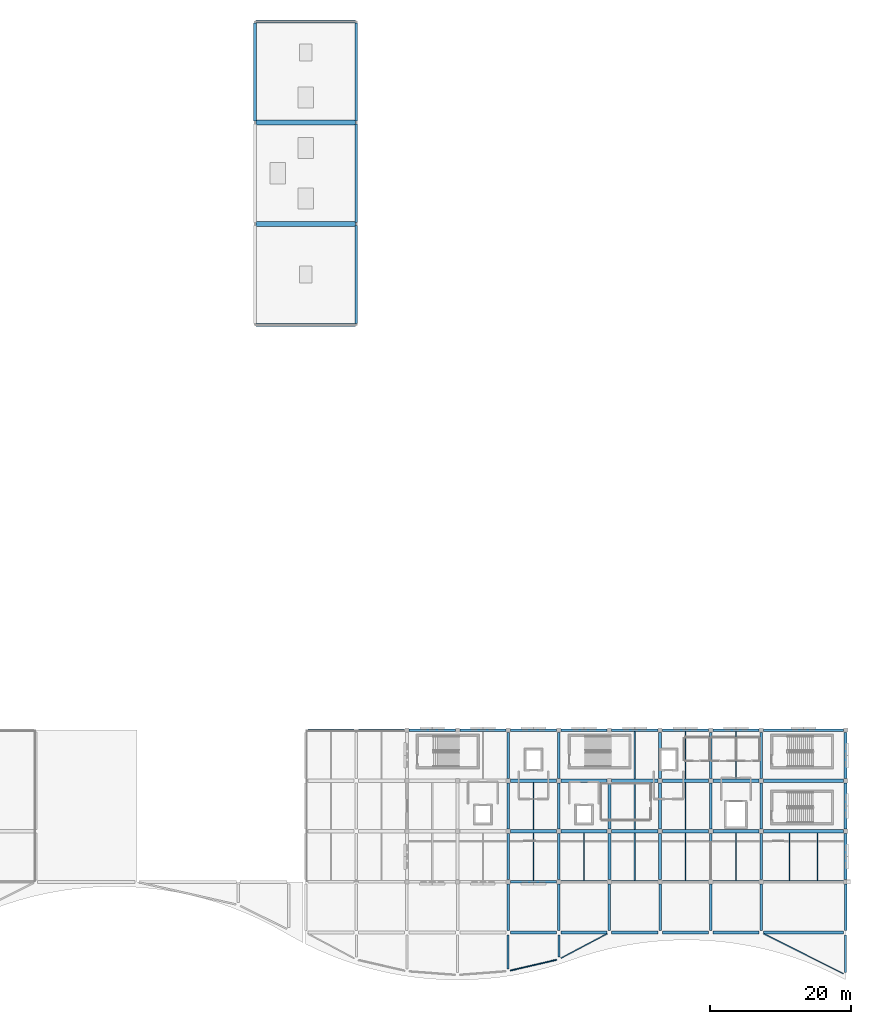
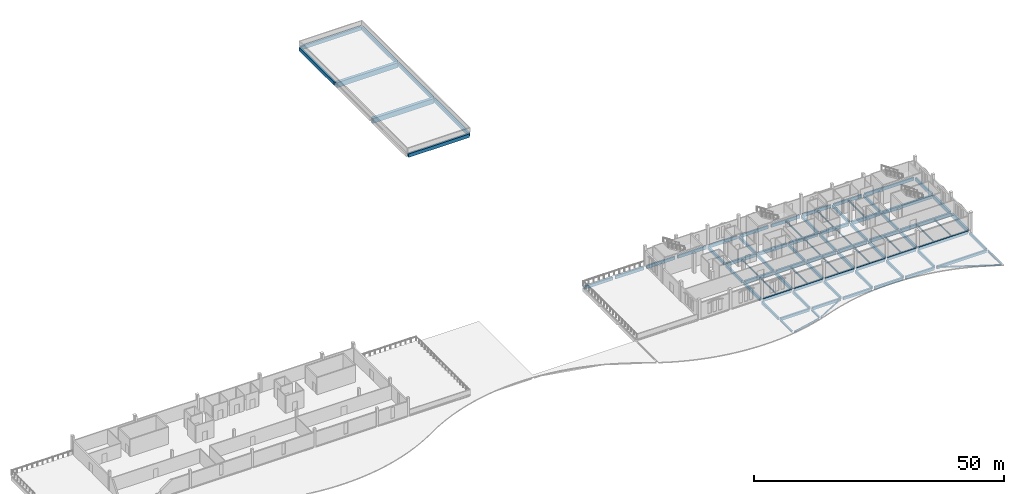
# One storey, part 4 of 23: 88 beams.
"""IFC4 building model written with IfcOpenShell, lengths in metres."""

from ifc_helpers import new_model, si_unit, direction, frame, origin, origin_2d, place, context, subcontext, project, spatial, rectangle, hollow_rectangle, i_section, extrude, material, material_profile, profile_set, type_object, element, save


model = new_model("IFC4")

# Units and contexts
model_context = context("Model", 3, precision=1e-05, world=origin(), true_north=direction((0.0, 1.0)))
body_context = subcontext(model_context, "Body", "Model", "MODEL_VIEW")
ifc_project = project(units=[si_unit("LENGTHUNIT", "METRE"), si_unit("AREAUNIT", "SQUARE_METRE"), si_unit("VOLUMEUNIT", "CUBIC_METRE"), si_unit("PLANEANGLEUNIT", "RADIAN"), si_unit("MASSUNIT", "GRAM", prefix="KILO")], contexts=[model_context])

# Site, building, storey
site_placement = place(None, origin())
site = spatial("IfcSite", under=ifc_project, at=site_placement, CompositionType="ELEMENT")
building_placement = place(site_placement, origin())
building = spatial("IfcBuilding", under=site, at=building_placement, Name="Cendralis Lancet Convention Centre", CompositionType="ELEMENT")
storey_placement = place(building_placement, frame((0.0, 0.0, 19.800048828125)))
storey = spatial("IfcBuildingStorey", under=building, at=storey_placement, Name="L04", CompositionType="ELEMENT", Elevation=19.800048828125)

# Beams
ifc_material_1 = material(Name="Concrete G40 (C40/50)", Category="concrete")
ifc_material_profile_1 = material_profile(ifc_material_1, rectangle(XDim=0.699951171875, YDim=1.199951171875, at=origin_2d()), Name="RCB 700x1200")
ifc_profile_set_1 = profile_set([ifc_material_profile_1], Name="Concrete G40 (C40/50)")
beam_type_1 = type_object("IfcBeamType", Name="STR-BM-BG01", PredefinedType="BEAM", material=ifc_profile_set_1)
for number, where, z_axis, x_axis, name in (
    (1, (124.949951171875, 108.0, -0.85009765625), (1.0, 0.0, 0.0), (0.0, 1.0, 0.0), "L04 Beam BG01 #1775"),
    (2, (124.949951171875, 122.39990234375, -0.85009765625), (1.0, 0.0, 0.0), (0.0, 1.0, 0.0), "L04 Beam BG01 #1776"),
):
    element("IfcBeam", number, at=place(storey_placement, frame(where, z_axis=z_axis, x_axis=x_axis)), inside=storey, type_object=beam_type_1, Name=name, PredefinedType="BEAM", context=body_context, shape_type="SweptSolid", body=[
        extrude(rectangle(XDim=0.699951171875, YDim=1.199951171875, at=origin_2d()), origin(), (0.0, 0.0, 1.0), 14.10009765625),
    ])
ifc_material_2 = material(Name="Concrete G35 (C35/45)", Category="concrete")
ifc_material_profile_2 = material_profile(ifc_material_2, rectangle(XDim=0.449951171875, YDim=0.75, at=origin_2d()), Name="RCB 450x750")
ifc_profile_set_2 = profile_set([ifc_material_profile_2], Name="Concrete G35 (C35/45)")
beam_type_2 = type_object("IfcBeamType", Name="STR-BM-BG11", PredefinedType="BEAM", material=ifc_profile_set_2)
for number, where, z_axis, x_axis, name in (
    (3, (161.125, 21.60009765625, -0.625), (1.0, 0.0, 0.0), (0.0, 1.0, 0.0), "L04 Beam BG11 #0519"),
    (4, (168.324951171875, 21.60009765625, -0.625), (1.0, 0.0, 0.0), (0.0, 1.0, 0.0), "L04 Beam BG11 #0520"),
    (5, (175.52490234375, 21.60009765625, -0.625), (1.0, 0.0, 0.0), (0.0, 1.0, 0.0), "L04 Beam BG11 #0521"),
):
    element("IfcBeam", number, at=place(storey_placement, frame(where, z_axis=z_axis, x_axis=x_axis)), inside=storey, type_object=beam_type_2, Name=name, PredefinedType="BEAM", context=body_context, shape_type="SweptSolid", body=[
        extrude(rectangle(XDim=0.449951171875, YDim=0.75, at=origin_2d()), origin(), (0.0, 0.0, 1.0), 6.550048828125),
    ])
beam_1_placement = place(storey_placement, frame((182.72509765625, 21.60009765625, -0.625), z_axis=(1.0, 0.0, 0.0), x_axis=(0.0, 1.0, 0.0)))
element("IfcBeam", 6, at=beam_1_placement, inside=storey, type_object=beam_type_2, Name="L04 Beam BG11 #0522", PredefinedType="BEAM", context=body_context, shape_type="SweptSolid", body=[
    extrude(rectangle(XDim=0.449951171875, YDim=0.75, at=origin_2d()), origin(), (0.0, 0.0, 1.0), 6.5498046875),
])
beam_2_placement = place(storey_placement, frame((189.925048828125, 21.60009765625, -0.625), z_axis=(1.0, 0.0, 0.0), x_axis=(0.0, 1.0, 0.0)))
element("IfcBeam", 7, at=beam_2_placement, inside=storey, type_object=beam_type_2, Name="L04 Beam BG11 #0523", PredefinedType="BEAM", context=body_context, shape_type="SweptSolid", body=[
    extrude(rectangle(XDim=0.449951171875, YDim=0.75, at=origin_2d()), origin(), (0.0, 0.0, 1.0), 6.550048828125),
])
beam_3_placement = place(storey_placement, frame((197.125, 21.60009765625, -0.625), z_axis=(1.0, 0.0, 0.0), x_axis=(0.0, 1.0, 0.0)))
element("IfcBeam", 8, at=beam_3_placement, inside=storey, type_object=beam_type_2, Name="L04 Beam BG11 #0524", PredefinedType="BEAM", context=body_context, shape_type="SweptSolid", body=[
    extrude(rectangle(XDim=0.449951171875, YDim=0.75, at=origin_2d()), origin(), (0.0, 0.0, 1.0), 11.35009765625),
])
for number, where, z_axis, x_axis, name in (
    (9, (161.125, 28.800048828125, -0.625), (1.0, 0.0, 0.0), (0.0, 1.0, 0.0), "L04 Beam BG11 #0529"),
    (10, (168.324951171875, 28.800048828125, -0.625), (1.0, 0.0, 0.0), (0.0, 1.0, 0.0), "L04 Beam BG11 #0530"),
    (11, (175.52490234375, 28.800048828125, -0.625), (1.0, 0.0, 0.0), (0.0, 1.0, 0.0), "L04 Beam BG11 #0531"),
):
    element("IfcBeam", number, at=place(storey_placement, frame(where, z_axis=z_axis, x_axis=x_axis)), inside=storey, type_object=beam_type_2, Name=name, PredefinedType="BEAM", context=body_context, shape_type="SweptSolid", body=[
        extrude(rectangle(XDim=0.449951171875, YDim=0.75, at=origin_2d()), origin(), (0.0, 0.0, 1.0), 6.550048828125),
    ])
beam_4_placement = place(storey_placement, frame((182.72509765625, 28.800048828125, -0.625), z_axis=(1.0, 0.0, 0.0), x_axis=(0.0, 1.0, 0.0)))
element("IfcBeam", 12, at=beam_4_placement, inside=storey, type_object=beam_type_2, Name="L04 Beam BG11 #0532", PredefinedType="BEAM", context=body_context, shape_type="SweptSolid", body=[
    extrude(rectangle(XDim=0.449951171875, YDim=0.75, at=origin_2d()), origin(), (0.0, 0.0, 1.0), 6.5498046875),
])
beam_5_placement = place(storey_placement, frame((189.925048828125, 28.800048828125, -0.625), z_axis=(1.0, 0.0, 0.0), x_axis=(0.0, 1.0, 0.0)))
element("IfcBeam", 13, at=beam_5_placement, inside=storey, type_object=beam_type_2, Name="L04 Beam BG11 #0533", PredefinedType="BEAM", context=body_context, shape_type="SweptSolid", body=[
    extrude(rectangle(XDim=0.449951171875, YDim=0.75, at=origin_2d()), origin(), (0.0, 0.0, 1.0), 6.550048828125),
])
beam_6_placement = place(storey_placement, frame((197.125, 28.800048828125, -0.625), z_axis=(1.0, 0.0, 0.0), x_axis=(0.0, 1.0, 0.0)))
element("IfcBeam", 14, at=beam_6_placement, inside=storey, type_object=beam_type_2, Name="L04 Beam BG11 #0534", PredefinedType="BEAM", context=body_context, shape_type="SweptSolid", body=[
    extrude(rectangle(XDim=0.449951171875, YDim=0.75, at=origin_2d()), origin(), (0.0, 0.0, 1.0), 11.35009765625),
])
ifc_material_profile_3 = material_profile(ifc_material_2, rectangle(XDim=0.39990234375, YDim=0.699951171875, at=origin_2d()), Name="RCB 400x700")
ifc_profile_set_3 = profile_set([ifc_material_profile_3], Name="Concrete G35 (C35/45)")
beam_type_3 = type_object("IfcBeamType", Name="STR-BM-BG13", PredefinedType="BEAM", material=ifc_profile_set_3)
beam_7_placement = place(storey_placement, frame((160.800048828125, 14.72509765625, -0.60009765625), z_axis=(0.0, 1.0, 0.0), x_axis=(-1.0, 0.0, 0.0)))
element("IfcBeam", 15, at=beam_7_placement, inside=storey, type_object=beam_type_3, Name="L04 Beam BG13 #0556", PredefinedType="BEAM", context=body_context, shape_type="SweptSolid", body=[
    extrude(rectangle(XDim=0.39990234375, YDim=0.699951171875, at=origin_2d()), origin(), (0.0, 0.0, 1.0), 6.5498046875),
])
for number, where, z_axis, x_axis, name in (
    (16, (160.800048828125, 21.925048828125, -0.60009765625), (0.0, 1.0, 0.0), (-1.0, 0.0, 0.0), "L04 Beam BG13 #0557"),
    (17, (160.800048828125, 29.125, -0.60009765625), (0.0, 1.0, 0.0), (-1.0, 0.0, 0.0), "L04 Beam BG13 #0558"),
):
    element("IfcBeam", number, at=place(storey_placement, frame(where, z_axis=z_axis, x_axis=x_axis)), inside=storey, type_object=beam_type_3, Name=name, PredefinedType="BEAM", context=body_context, shape_type="SweptSolid", body=[
        extrude(rectangle(XDim=0.39990234375, YDim=0.699951171875, at=origin_2d()), origin(), (0.0, 0.0, 1.0), 6.550048828125),
    ])
beam_8_placement = place(storey_placement, frame((168.0, 14.72509765625, -0.60009765625), z_axis=(0.0, 1.0, 0.0), x_axis=(-1.0, 0.0, 0.0)))
element("IfcBeam", 18, at=beam_8_placement, inside=storey, type_object=beam_type_3, Name="L04 Beam BG13 #0559", PredefinedType="BEAM", context=body_context, shape_type="SweptSolid", body=[
    extrude(rectangle(XDim=0.39990234375, YDim=0.699951171875, at=origin_2d()), origin(), (0.0, 0.0, 1.0), 6.5498046875),
])
for number, where, z_axis, x_axis, name in (
    (19, (168.0, 21.925048828125, -0.60009765625), (0.0, 1.0, 0.0), (-1.0, 0.0, 0.0), "L04 Beam BG13 #0560"),
    (20, (168.0, 29.125, -0.60009765625), (0.0, 1.0, 0.0), (-1.0, 0.0, 0.0), "L04 Beam BG13 #0561"),
):
    element("IfcBeam", number, at=place(storey_placement, frame(where, z_axis=z_axis, x_axis=x_axis)), inside=storey, type_object=beam_type_3, Name=name, PredefinedType="BEAM", context=body_context, shape_type="SweptSolid", body=[
        extrude(rectangle(XDim=0.39990234375, YDim=0.699951171875, at=origin_2d()), origin(), (0.0, 0.0, 1.0), 6.550048828125),
    ])
beam_9_placement = place(storey_placement, frame((175.199951171875, 14.72509765625, -0.60009765625), z_axis=(0.0, 1.0, 0.0), x_axis=(-1.0, 0.0, 0.0)))
element("IfcBeam", 21, at=beam_9_placement, inside=storey, type_object=beam_type_3, Name="L04 Beam BG13 #0562", PredefinedType="BEAM", context=body_context, shape_type="SweptSolid", body=[
    extrude(rectangle(XDim=0.39990234375, YDim=0.699951171875, at=origin_2d()), origin(), (0.0, 0.0, 1.0), 6.5498046875),
])
beam_10_placement = place(storey_placement, frame((175.199951171875, 21.925048828125, -0.60009765625), z_axis=(0.0, 1.0, 0.0), x_axis=(-1.0, 0.0, 0.0)))
element("IfcBeam", 22, at=beam_10_placement, inside=storey, type_object=beam_type_3, Name="L04 Beam BG13 #0563", PredefinedType="BEAM", context=body_context, shape_type="SweptSolid", body=[
    extrude(rectangle(XDim=0.39990234375, YDim=0.699951171875, at=origin_2d()), origin(), (0.0, 0.0, 1.0), 6.550048828125),
])
beam_11_placement = place(storey_placement, frame((182.39990234375, 14.72509765625, -0.60009765625), z_axis=(0.0, 1.0, 0.0), x_axis=(-1.0, 0.0, 0.0)))
element("IfcBeam", 23, at=beam_11_placement, inside=storey, type_object=beam_type_3, Name="L04 Beam BG13 #0564", PredefinedType="BEAM", context=body_context, shape_type="SweptSolid", body=[
    extrude(rectangle(XDim=0.39990234375, YDim=0.699951171875, at=origin_2d()), origin(), (0.0, 0.0, 1.0), 6.5498046875),
])
for number, where, z_axis, x_axis, name in (
    (24, (182.39990234375, 21.925048828125, -0.60009765625), (0.0, 1.0, 0.0), (-1.0, 0.0, 0.0), "L04 Beam BG13 #0565"),
    (25, (182.39990234375, 29.125, -0.60009765625), (0.0, 1.0, 0.0), (-1.0, 0.0, 0.0), "L04 Beam BG13 #0566"),
):
    element("IfcBeam", number, at=place(storey_placement, frame(where, z_axis=z_axis, x_axis=x_axis)), inside=storey, type_object=beam_type_3, Name=name, PredefinedType="BEAM", context=body_context, shape_type="SweptSolid", body=[
        extrude(rectangle(XDim=0.39990234375, YDim=0.699951171875, at=origin_2d()), origin(), (0.0, 0.0, 1.0), 6.550048828125),
    ])
beam_12_placement = place(storey_placement, frame((189.60009765625, 14.72509765625, -0.60009765625), z_axis=(0.0, 1.0, 0.0), x_axis=(-1.0, 0.0, 0.0)))
element("IfcBeam", 26, at=beam_12_placement, inside=storey, type_object=beam_type_3, Name="L04 Beam BG13 #0567", PredefinedType="BEAM", context=body_context, shape_type="SweptSolid", body=[
    extrude(rectangle(XDim=0.39990234375, YDim=0.699951171875, at=origin_2d()), origin(), (0.0, 0.0, 1.0), 6.5498046875),
])
for number, where, z_axis, x_axis, name in (
    (27, (189.60009765625, 21.925048828125, -0.60009765625), (0.0, 1.0, 0.0), (-1.0, 0.0, 0.0), "L04 Beam BG13 #0568"),
    (28, (189.60009765625, 29.125, -0.60009765625), (0.0, 1.0, 0.0), (-1.0, 0.0, 0.0), "L04 Beam BG13 #0569"),
):
    element("IfcBeam", number, at=place(storey_placement, frame(where, z_axis=z_axis, x_axis=x_axis)), inside=storey, type_object=beam_type_3, Name=name, PredefinedType="BEAM", context=body_context, shape_type="SweptSolid", body=[
        extrude(rectangle(XDim=0.39990234375, YDim=0.699951171875, at=origin_2d()), origin(), (0.0, 0.0, 1.0), 6.550048828125),
    ])
beam_13_placement = place(storey_placement, frame((196.800048828125, 14.72509765625, -0.60009765625), z_axis=(0.0, 1.0, 0.0), x_axis=(-1.0, 0.0, 0.0)))
element("IfcBeam", 29, at=beam_13_placement, inside=storey, type_object=beam_type_3, Name="L04 Beam BG13 #0570", PredefinedType="BEAM", context=body_context, shape_type="SweptSolid", body=[
    extrude(rectangle(XDim=0.39990234375, YDim=0.699951171875, at=origin_2d()), origin(), (0.0, 0.0, 1.0), 6.5498046875),
])
for number, where, z_axis, x_axis, name in (
    (30, (196.800048828125, 21.925048828125, -0.60009765625), (0.0, 1.0, 0.0), (-1.0, 0.0, 0.0), "L04 Beam BG13 #0571"),
    (31, (196.800048828125, 29.125, -0.60009765625), (0.0, 1.0, 0.0), (-1.0, 0.0, 0.0), "L04 Beam BG13 #0572"),
):
    element("IfcBeam", number, at=place(storey_placement, frame(where, z_axis=z_axis, x_axis=x_axis)), inside=storey, type_object=beam_type_3, Name=name, PredefinedType="BEAM", context=body_context, shape_type="SweptSolid", body=[
        extrude(rectangle(XDim=0.39990234375, YDim=0.699951171875, at=origin_2d()), origin(), (0.0, 0.0, 1.0), 6.550048828125),
    ])
ifc_material_profile_4 = material_profile(ifc_material_2, rectangle(XDim=0.39990234375, YDim=0.64990234375, at=origin_2d()), Name="RCB 400x650")
ifc_profile_set_4 = profile_set([ifc_material_profile_4], Name="Concrete G35 (C35/45)")
beam_type_4 = type_object("IfcBeamType", Name="STR-BM-BG14", PredefinedType="BEAM", material=ifc_profile_set_4)
for number, where, z_axis, x_axis, name in (
    (32, (161.125, 7.199951171875, -0.89501953125), (1.0, 0.0, 0.0), (0.0, 1.0, 0.0), "L04 Beam BG14 #1160"),
    (33, (168.324951171875, 7.199951171875, -0.89501953125), (1.0, 0.0, 0.0), (0.0, 1.0, 0.0), "L04 Beam BG14 #1161"),
    (34, (175.52490234375, 7.199951171875, -0.89501953125), (1.0, 0.0, 0.0), (0.0, 1.0, 0.0), "L04 Beam BG14 #1162"),
):
    element("IfcBeam", number, at=place(storey_placement, frame(where, z_axis=z_axis, x_axis=x_axis)), inside=storey, type_object=beam_type_4, Name=name, PredefinedType="BEAM", context=body_context, shape_type="SweptSolid", body=[
        extrude(rectangle(XDim=0.39990234375, YDim=0.64990234375, at=origin_2d()), origin(), (0.0, 0.0, 1.0), 6.550048828125),
    ])
beam_14_placement = place(storey_placement, frame((182.72509765625, 7.199951171875, -0.89501953125), z_axis=(1.0, 0.0, 0.0), x_axis=(0.0, 1.0, 0.0)))
element("IfcBeam", 35, at=beam_14_placement, inside=storey, type_object=beam_type_4, Name="L04 Beam BG14 #1163", PredefinedType="BEAM", context=body_context, shape_type="SweptSolid", body=[
    extrude(rectangle(XDim=0.39990234375, YDim=0.64990234375, at=origin_2d()), origin(), (0.0, 0.0, 1.0), 6.5498046875),
])
beam_15_placement = place(storey_placement, frame((189.925048828125, 7.199951171875, -0.89501953125), z_axis=(1.0, 0.0, 0.0), x_axis=(0.0, 1.0, 0.0)))
element("IfcBeam", 36, at=beam_15_placement, inside=storey, type_object=beam_type_4, Name="L04 Beam BG14 #1164", PredefinedType="BEAM", context=body_context, shape_type="SweptSolid", body=[
    extrude(rectangle(XDim=0.39990234375, YDim=0.64990234375, at=origin_2d()), origin(), (0.0, 0.0, 1.0), 6.550048828125),
])
beam_16_placement = place(storey_placement, frame((197.125, 7.199951171875, -0.89501953125), z_axis=(1.0, 0.0, 0.0), x_axis=(0.0, 1.0, 0.0)))
element("IfcBeam", 37, at=beam_16_placement, inside=storey, type_object=beam_type_4, Name="L04 Beam BG14 #1165", PredefinedType="BEAM", context=body_context, shape_type="SweptSolid", body=[
    extrude(rectangle(XDim=0.39990234375, YDim=0.64990234375, at=origin_2d()), origin(), (0.0, 0.0, 1.0), 11.35009765625),
])
ifc_material_profile_5 = material_profile(ifc_material_2, rectangle(XDim=0.35009765625, YDim=0.64990234375, at=origin_2d()), Name="RCB 350x650")
ifc_profile_set_5 = profile_set([ifc_material_profile_5], Name="Concrete G35 (C35/45)")
beam_type_5 = type_object("IfcBeamType", Name="STR-BM-BG15", PredefinedType="BEAM", material=ifc_profile_set_5)
for number, where, z_axis, x_axis, name in (
    (38, (160.800048828125, 7.52490234375, -0.89501953125), (0.0, 1.0, 0.0), (-1.0, 0.0, 0.0), "L04 Beam BG15 #1170"),
    (39, (168.0, 7.52490234375, -0.89501953125), (0.0, 1.0, 0.0), (-1.0, 0.0, 0.0), "L04 Beam BG15 #1171"),
    (40, (175.199951171875, 7.52490234375, -0.89501953125), (0.0, 1.0, 0.0), (-1.0, 0.0, 0.0), "L04 Beam BG15 #1172"),
    (41, (182.39990234375, 7.52490234375, -0.89501953125), (0.0, 1.0, 0.0), (-1.0, 0.0, 0.0), "L04 Beam BG15 #1173"),
    (42, (189.60009765625, 7.52490234375, -0.89501953125), (0.0, 1.0, 0.0), (-1.0, 0.0, 0.0), "L04 Beam BG15 #1174"),
    (43, (196.800048828125, 7.52490234375, -0.89501953125), (0.0, 1.0, 0.0), (-1.0, 0.0, 0.0), "L04 Beam BG15 #1175"),
    (44, (208.800048828125, 7.52490234375, -0.89501953125), (0.0, 1.0, 0.0), (-1.0, 0.0, 0.0), "L04 Beam BG15 #1176"),
):
    element("IfcBeam", number, at=place(storey_placement, frame(where, z_axis=z_axis, x_axis=x_axis)), inside=storey, type_object=beam_type_5, Name=name, PredefinedType="BEAM", context=body_context, shape_type="SweptSolid", body=[
        extrude(rectangle(XDim=0.35009765625, YDim=0.64990234375, at=origin_2d()), origin(), (0.0, 0.0, 1.0), 6.550048828125),
    ])
ifc_material_3 = material(Name="Steel S355", Category="steel")
ifc_material_profile_6 = material_profile(ifc_material_3, i_section(OverallWidth=0.300048828125, OverallDepth=0.389892578125, WebThickness=0.010986328125, FlangeThickness=0.01904296875, FilletRadius=0.027099609375, at=origin_2d()), Name="HEA 400")
ifc_profile_set_6 = profile_set([ifc_material_profile_6], Name="Steel S355")
beam_type_6 = type_object("IfcBeamType", Name="STR-BM-SG14", PredefinedType="BEAM", material=ifc_profile_set_6)
beam_17_placement = place(storey_placement, frame((160.800048828125, 2.04541015625, -0.76513671875), z_axis=(0.0, 1.0, 0.0), x_axis=(-1.0, 0.0, 0.0)))
element("IfcBeam", 45, at=beam_17_placement, inside=storey, type_object=beam_type_6, Name="L04 Beam SG14 #1137", PredefinedType="BEAM", context=body_context, shape_type="SweptSolid", body=[
    extrude(i_section(OverallWidth=0.300048828125, OverallDepth=0.389892578125, WebThickness=0.010986328125, FlangeThickness=0.01904296875, FilletRadius=0.027099609375, at=origin_2d()), origin(), (0.0, 0.0, 1.0), 4.82958984375),
])
beam_18_placement = place(storey_placement, frame((168.0, 3.72119140625, -0.76513671875), z_axis=(0.0, 1.0, 0.0), x_axis=(-1.0, 0.0, 0.0)))
element("IfcBeam", 46, at=beam_18_placement, inside=storey, type_object=beam_type_6, Name="L04 Beam SG14 #1138", PredefinedType="BEAM", context=body_context, shape_type="SweptSolid", body=[
    extrude(i_section(OverallWidth=0.300048828125, OverallDepth=0.389892578125, WebThickness=0.010986328125, FlangeThickness=0.01904296875, FilletRadius=0.027099609375, at=origin_2d()), origin(), (0.0, 0.0, 1.0), 3.15380859375),
])
beam_19_placement = place(storey_placement, frame((208.800048828125, 1.5087890625, -0.76513671875), z_axis=(0.0, 1.0, 0.0), x_axis=(-1.0, 0.0, 0.0)))
element("IfcBeam", 47, at=beam_19_placement, inside=storey, type_object=beam_type_6, Name="L04 Beam SG14 #1139", PredefinedType="BEAM", context=body_context, shape_type="SweptSolid", body=[
    extrude(i_section(OverallWidth=0.300048828125, OverallDepth=0.389892578125, WebThickness=0.010986328125, FlangeThickness=0.01904296875, FilletRadius=0.027099609375, at=origin_2d()), origin(), (0.0, 0.0, 1.0), 5.3662109375),
])
ifc_material_profile_7 = material_profile(ifc_material_3, i_section(OverallWidth=0.169921875, OverallDepth=0.360107421875, WebThickness=0.008056640625, FlangeThickness=0.0126953125, FilletRadius=0.01806640625, at=origin_2d()), Name="IPE 360")
ifc_profile_set_7 = profile_set([ifc_material_profile_7], Name="Steel S355")
beam_type_7 = type_object("IfcBeamType", Name="STR-JS-BJ09", PredefinedType="JOIST", material=ifc_profile_set_7)
beam_20_placement = place(storey_placement, frame((164.39990234375, 14.574951171875, -0.429931640625), z_axis=(0.0, 1.0, 0.0), x_axis=(-1.0, 0.0, 0.0)))
element("IfcBeam", 48, at=beam_20_placement, inside=storey, type_object=beam_type_7, Name="L04 Beam BJ09 #0586", PredefinedType="JOIST", context=body_context, shape_type="SweptSolid", body=[
    extrude(i_section(OverallWidth=0.169921875, OverallDepth=0.360107421875, WebThickness=0.008056640625, FlangeThickness=0.0126953125, FilletRadius=0.01806640625, at=origin_2d()), origin(), (0.0, 0.0, 1.0), 6.800048828125),
])
beam_21_placement = place(storey_placement, frame((164.39990234375, 21.824951171875, -0.429931640625), z_axis=(0.0, 1.0, 0.0), x_axis=(-1.0, 0.0, 0.0)))
element("IfcBeam", 49, at=beam_21_placement, inside=storey, type_object=beam_type_7, Name="L04 Beam BJ09 #0587", PredefinedType="JOIST", context=body_context, shape_type="SweptSolid", body=[
    extrude(i_section(OverallWidth=0.169921875, OverallDepth=0.360107421875, WebThickness=0.008056640625, FlangeThickness=0.0126953125, FilletRadius=0.01806640625, at=origin_2d()), origin(), (0.0, 0.0, 1.0), 6.75),
])
for number, where, z_axis, x_axis, name in (
    (50, (171.60009765625, 14.574951171875, -0.429931640625), (0.0, 1.0, 0.0), (-1.0, 0.0, 0.0), "L04 Beam BJ09 #0588"),
    (51, (178.800048828125, 14.574951171875, -0.429931640625), (0.0, 1.0, 0.0), (-1.0, 0.0, 0.0), "L04 Beam BJ09 #0589"),
):
    element("IfcBeam", number, at=place(storey_placement, frame(where, z_axis=z_axis, x_axis=x_axis)), inside=storey, type_object=beam_type_7, Name=name, PredefinedType="JOIST", context=body_context, shape_type="SweptSolid", body=[
        extrude(i_section(OverallWidth=0.169921875, OverallDepth=0.360107421875, WebThickness=0.008056640625, FlangeThickness=0.0126953125, FilletRadius=0.01806640625, at=origin_2d()), origin(), (0.0, 0.0, 1.0), 6.800048828125),
    ])
beam_22_placement = place(storey_placement, frame((178.800048828125, 21.824951171875, -0.429931640625), z_axis=(0.0, 1.0, 0.0), x_axis=(-1.0, 0.0, 0.0)))
element("IfcBeam", 52, at=beam_22_placement, inside=storey, type_object=beam_type_7, Name="L04 Beam BJ09 #0590", PredefinedType="JOIST", context=body_context, shape_type="SweptSolid", body=[
    extrude(i_section(OverallWidth=0.169921875, OverallDepth=0.360107421875, WebThickness=0.008056640625, FlangeThickness=0.0126953125, FilletRadius=0.01806640625, at=origin_2d()), origin(), (0.0, 0.0, 1.0), 6.75),
])
for number, where, z_axis, x_axis, name in (
    (53, (178.800048828125, 29.02490234375, -0.429931640625), (0.0, 1.0, 0.0), (-1.0, 0.0, 0.0), "L04 Beam BJ09 #0591"),
    (54, (186.0, 14.574951171875, -0.429931640625), (0.0, 1.0, 0.0), (-1.0, 0.0, 0.0), "L04 Beam BJ09 #0592"),
):
    element("IfcBeam", number, at=place(storey_placement, frame(where, z_axis=z_axis, x_axis=x_axis)), inside=storey, type_object=beam_type_7, Name=name, PredefinedType="JOIST", context=body_context, shape_type="SweptSolid", body=[
        extrude(i_section(OverallWidth=0.169921875, OverallDepth=0.360107421875, WebThickness=0.008056640625, FlangeThickness=0.0126953125, FilletRadius=0.01806640625, at=origin_2d()), origin(), (0.0, 0.0, 1.0), 6.800048828125),
    ])
beam_23_placement = place(storey_placement, frame((186.0, 21.824951171875, -0.429931640625), z_axis=(0.0, 1.0, 0.0), x_axis=(-1.0, 0.0, 0.0)))
element("IfcBeam", 55, at=beam_23_placement, inside=storey, type_object=beam_type_7, Name="L04 Beam BJ09 #0593", PredefinedType="JOIST", context=body_context, shape_type="SweptSolid", body=[
    extrude(i_section(OverallWidth=0.169921875, OverallDepth=0.360107421875, WebThickness=0.008056640625, FlangeThickness=0.0126953125, FilletRadius=0.01806640625, at=origin_2d()), origin(), (0.0, 0.0, 1.0), 6.75),
])
for number, where, z_axis, x_axis, name in (
    (56, (186.0, 29.02490234375, -0.429931640625), (0.0, 1.0, 0.0), (-1.0, 0.0, 0.0), "L04 Beam BJ09 #0594"),
    (57, (193.199951171875, 14.574951171875, -0.429931640625), (0.0, 1.0, 0.0), (-1.0, 0.0, 0.0), "L04 Beam BJ09 #0595"),
    (58, (193.199951171875, 29.02490234375, -0.429931640625), (0.0, 1.0, 0.0), (-1.0, 0.0, 0.0), "L04 Beam BJ09 #0596"),
    (59, (200.800048828125, 14.574951171875, -0.429931640625), (0.0, 1.0, 0.0), (-1.0, 0.0, 0.0), "L04 Beam BJ09 #0597"),
    (60, (204.800048828125, 14.574951171875, -0.429931640625), (0.0, 1.0, 0.0), (-1.0, 0.0, 0.0), "L04 Beam BJ09 #0598"),
):
    element("IfcBeam", number, at=place(storey_placement, frame(where, z_axis=z_axis, x_axis=x_axis)), inside=storey, type_object=beam_type_7, Name=name, PredefinedType="JOIST", context=body_context, shape_type="SweptSolid", body=[
        extrude(i_section(OverallWidth=0.169921875, OverallDepth=0.360107421875, WebThickness=0.008056640625, FlangeThickness=0.0126953125, FilletRadius=0.01806640625, at=origin_2d()), origin(), (0.0, 0.0, 1.0), 6.800048828125),
    ])
ifc_material_profile_8 = material_profile(ifc_material_1, rectangle(XDim=0.35009765625, YDim=0.75, at=origin_2d()), Name="RCB 350x750")
ifc_profile_set_8 = profile_set([ifc_material_profile_8], Name="Concrete G40 (C40/50)")
beam_type_8 = type_object("IfcBeamType", Name="STR-SP-SP01", PredefinedType="SPANDREL", material=ifc_profile_set_8)
for number, where, z_axis, x_axis, name in (
    (61, (161.125, 14.39990234375, -0.625), (1.0, 0.0, 0.0), (0.0, 1.0, 0.0), "L04 Beam SP01 #0509"),
    (62, (168.324951171875, 14.39990234375, -0.625), (1.0, 0.0, 0.0), (0.0, 1.0, 0.0), "L04 Beam SP01 #0510"),
    (63, (175.52490234375, 14.39990234375, -0.625), (1.0, 0.0, 0.0), (0.0, 1.0, 0.0), "L04 Beam SP01 #0511"),
):
    element("IfcBeam", number, at=place(storey_placement, frame(where, z_axis=z_axis, x_axis=x_axis)), inside=storey, type_object=beam_type_8, Name=name, PredefinedType="SPANDREL", context=body_context, shape_type="SweptSolid", body=[
        extrude(rectangle(XDim=0.35009765625, YDim=0.75, at=origin_2d()), origin(), (0.0, 0.0, 1.0), 6.550048828125),
    ])
beam_24_placement = place(storey_placement, frame((182.72509765625, 14.39990234375, -0.625), z_axis=(1.0, 0.0, 0.0), x_axis=(0.0, 1.0, 0.0)))
element("IfcBeam", 64, at=beam_24_placement, inside=storey, type_object=beam_type_8, Name="L04 Beam SP01 #0512", PredefinedType="SPANDREL", context=body_context, shape_type="SweptSolid", body=[
    extrude(rectangle(XDim=0.35009765625, YDim=0.75, at=origin_2d()), origin(), (0.0, 0.0, 1.0), 6.5498046875),
])
beam_25_placement = place(storey_placement, frame((189.925048828125, 14.39990234375, -0.625), z_axis=(1.0, 0.0, 0.0), x_axis=(0.0, 1.0, 0.0)))
element("IfcBeam", 65, at=beam_25_placement, inside=storey, type_object=beam_type_8, Name="L04 Beam SP01 #0513", PredefinedType="SPANDREL", context=body_context, shape_type="SweptSolid", body=[
    extrude(rectangle(XDim=0.35009765625, YDim=0.75, at=origin_2d()), origin(), (0.0, 0.0, 1.0), 6.550048828125),
])
beam_26_placement = place(storey_placement, frame((197.125, 14.39990234375, -0.625), z_axis=(1.0, 0.0, 0.0), x_axis=(0.0, 1.0, 0.0)))
element("IfcBeam", 66, at=beam_26_placement, inside=storey, type_object=beam_type_8, Name="L04 Beam SP01 #0514", PredefinedType="SPANDREL", context=body_context, shape_type="SweptSolid", body=[
    extrude(rectangle(XDim=0.35009765625, YDim=0.75, at=origin_2d()), origin(), (0.0, 0.0, 1.0), 11.35009765625),
])
for number, where, z_axis, x_axis, name in (
    (67, (132.324951171875, 36.0, -0.625), (1.0, 0.0, 0.0), (0.0, 1.0, 0.0), "L04 Beam SP01 #0535"),
    (68, (139.52490234375, 36.0, -0.625), (1.0, 0.0, 0.0), (0.0, 1.0, 0.0), "L04 Beam SP01 #0536"),
):
    element("IfcBeam", number, at=place(storey_placement, frame(where, z_axis=z_axis, x_axis=x_axis)), inside=storey, type_object=beam_type_8, Name=name, PredefinedType="SPANDREL", context=body_context, shape_type="SweptSolid", body=[
        extrude(rectangle(XDim=0.35009765625, YDim=0.75, at=origin_2d()), origin(), (0.0, 0.0, 1.0), 6.550048828125),
    ])
beam_27_placement = place(storey_placement, frame((146.72509765625, 36.0, -0.625), z_axis=(1.0, 0.0, 0.0), x_axis=(0.0, 1.0, 0.0)))
element("IfcBeam", 69, at=beam_27_placement, inside=storey, type_object=beam_type_8, Name="L04 Beam SP01 #0537", PredefinedType="SPANDREL", context=body_context, shape_type="SweptSolid", body=[
    extrude(rectangle(XDim=0.35009765625, YDim=0.75, at=origin_2d()), origin(), (0.0, 0.0, 1.0), 6.5498046875),
])
for number, where, z_axis, x_axis, name in (
    (70, (153.925048828125, 36.0, -0.625), (1.0, 0.0, 0.0), (0.0, 1.0, 0.0), "L04 Beam SP01 #0538"),
    (71, (161.125, 36.0, -0.625), (1.0, 0.0, 0.0), (0.0, 1.0, 0.0), "L04 Beam SP01 #0539"),
    (72, (168.324951171875, 36.0, -0.625), (1.0, 0.0, 0.0), (0.0, 1.0, 0.0), "L04 Beam SP01 #0540"),
    (73, (175.52490234375, 36.0, -0.625), (1.0, 0.0, 0.0), (0.0, 1.0, 0.0), "L04 Beam SP01 #0541"),
):
    element("IfcBeam", number, at=place(storey_placement, frame(where, z_axis=z_axis, x_axis=x_axis)), inside=storey, type_object=beam_type_8, Name=name, PredefinedType="SPANDREL", context=body_context, shape_type="SweptSolid", body=[
        extrude(rectangle(XDim=0.35009765625, YDim=0.75, at=origin_2d()), origin(), (0.0, 0.0, 1.0), 6.550048828125),
    ])
beam_28_placement = place(storey_placement, frame((182.72509765625, 36.0, -0.625), z_axis=(1.0, 0.0, 0.0), x_axis=(0.0, 1.0, 0.0)))
element("IfcBeam", 74, at=beam_28_placement, inside=storey, type_object=beam_type_8, Name="L04 Beam SP01 #0542", PredefinedType="SPANDREL", context=body_context, shape_type="SweptSolid", body=[
    extrude(rectangle(XDim=0.35009765625, YDim=0.75, at=origin_2d()), origin(), (0.0, 0.0, 1.0), 6.5498046875),
])
beam_29_placement = place(storey_placement, frame((189.925048828125, 36.0, -0.625), z_axis=(1.0, 0.0, 0.0), x_axis=(0.0, 1.0, 0.0)))
element("IfcBeam", 75, at=beam_29_placement, inside=storey, type_object=beam_type_8, Name="L04 Beam SP01 #0543", PredefinedType="SPANDREL", context=body_context, shape_type="SweptSolid", body=[
    extrude(rectangle(XDim=0.35009765625, YDim=0.75, at=origin_2d()), origin(), (0.0, 0.0, 1.0), 6.550048828125),
])
beam_30_placement = place(storey_placement, frame((197.125, 36.0, -0.625), z_axis=(1.0, 0.0, 0.0), x_axis=(0.0, 1.0, 0.0)))
element("IfcBeam", 76, at=beam_30_placement, inside=storey, type_object=beam_type_8, Name="L04 Beam SP01 #0544", PredefinedType="SPANDREL", context=body_context, shape_type="SweptSolid", body=[
    extrude(rectangle(XDim=0.35009765625, YDim=0.75, at=origin_2d()), origin(), (0.0, 0.0, 1.0), 11.35009765625),
])
ifc_material_profile_9 = material_profile(ifc_material_1, rectangle(XDim=0.39990234375, YDim=0.85009765625, at=origin_2d()), Name="RCB 400x850")
ifc_profile_set_9 = profile_set([ifc_material_profile_9], Name="Concrete G40 (C40/50)")
beam_type_9 = type_object("IfcBeamType", Name="STR-SP-SP02", PredefinedType="SPANDREL", material=ifc_profile_set_9)
beam_31_placement = place(storey_placement, frame((208.800048828125, 14.72509765625, -0.675048828125), z_axis=(0.0, 1.0, 0.0), x_axis=(-1.0, 0.0, 0.0)))
element("IfcBeam", 77, at=beam_31_placement, inside=storey, type_object=beam_type_9, Name="L04 Beam SP02 #0573", PredefinedType="SPANDREL", context=body_context, shape_type="SweptSolid", body=[
    extrude(rectangle(XDim=0.39990234375, YDim=0.85009765625, at=origin_2d()), origin(), (0.0, 0.0, 1.0), 6.5498046875),
])
for number, where, z_axis, x_axis, name in (
    (78, (208.800048828125, 21.925048828125, -0.675048828125), (0.0, 1.0, 0.0), (-1.0, 0.0, 0.0), "L04 Beam SP02 #0574"),
    (79, (208.800048828125, 29.125, -0.675048828125), (0.0, 1.0, 0.0), (-1.0, 0.0, 0.0), "L04 Beam SP02 #0575"),
):
    element("IfcBeam", number, at=place(storey_placement, frame(where, z_axis=z_axis, x_axis=x_axis)), inside=storey, type_object=beam_type_9, Name=name, PredefinedType="SPANDREL", context=body_context, shape_type="SweptSolid", body=[
        extrude(rectangle(XDim=0.39990234375, YDim=0.85009765625, at=origin_2d()), origin(), (0.0, 0.0, 1.0), 6.550048828125),
    ])
for number, where, z_axis, x_axis, name in (
    (80, (124.949951171875, 93.60009765625, -0.675048828125), (1.0, 0.0, 0.0), (0.0, 1.0, 0.0), "L04 Beam SP02 #1774"),
    (81, (124.949951171875, 136.800048828125, -0.675048828125), (1.0, 0.0, 0.0), (0.0, 1.0, 0.0), "L04 Beam SP02 #1777"),
):
    element("IfcBeam", number, at=place(storey_placement, frame(where, z_axis=z_axis, x_axis=x_axis)), inside=storey, type_object=beam_type_9, Name=name, PredefinedType="SPANDREL", context=body_context, shape_type="SweptSolid", body=[
        extrude(rectangle(XDim=0.39990234375, YDim=0.85009765625, at=origin_2d()), origin(), (0.0, 0.0, 1.0), 14.10009765625),
    ])
for number, where, z_axis, x_axis, name in (
    (82, (124.800048828125, 122.625, -0.675048828125), (0.0, 1.0, 0.0), (-1.0, 0.0, 0.0), "L04 Beam SP02 #1780"),
    (83, (139.199951171875, 93.824951171875, -0.675048828125), (0.0, 1.0, 0.0), (-1.0, 0.0, 0.0), "L04 Beam SP02 #1781"),
    (84, (139.199951171875, 108.22509765625, -0.675048828125), (0.0, 1.0, 0.0), (-1.0, 0.0, 0.0), "L04 Beam SP02 #1782"),
    (85, (139.199951171875, 122.625, -0.675048828125), (0.0, 1.0, 0.0), (-1.0, 0.0, 0.0), "L04 Beam SP02 #1783"),
):
    element("IfcBeam", number, at=place(storey_placement, frame(where, z_axis=z_axis, x_axis=x_axis)), inside=storey, type_object=beam_type_9, Name=name, PredefinedType="SPANDREL", context=body_context, shape_type="SweptSolid", body=[
        extrude(rectangle(XDim=0.39990234375, YDim=0.85009765625, at=origin_2d()), origin(), (0.0, 0.0, 1.0), 13.949951171875),
    ])
ifc_material_profile_10 = material_profile(ifc_material_3, hollow_rectangle(XDim=0.14990234375, YDim=0.35009765625, WallThickness=0.012451171875, at=origin_2d()), Name="RHS 350x150x12.5")
ifc_profile_set_10 = profile_set([ifc_material_profile_10], Name="Steel S355")
beam_type_10 = type_object("IfcBeamType", Name="STR-SP-SP04", PredefinedType="SPANDREL", material=ifc_profile_set_10)
beam_32_placement = place(storey_placement, frame((161.116455078125, 1.794189453125, -0.7451171875), z_axis=(0.973972717024, 0.226665274121, 0.0), x_axis=(-0.226665274121, 0.973972717024, 0.0)))
element("IfcBeam", 86, at=beam_32_placement, inside=storey, type_object=beam_type_10, Name="L04 Beam SP04 #1189", PredefinedType="SPANDREL", context=body_context, shape_type="SweptSolid", body=[
    extrude(hollow_rectangle(XDim=0.14990234375, YDim=0.35009765625, WallThickness=0.012451171875, at=origin_2d()), origin(), (0.0, 0.0, 1.0), 6.74267578125),
])
beam_33_placement = place(storey_placement, frame((168.287353515625, 3.548095703125, -0.7451171875), z_axis=(0.884200493614, 0.467107575504, 0.0), x_axis=(-0.467107575504, 0.884200493614, 0.0)))
element("IfcBeam", 87, at=beam_33_placement, inside=storey, type_object=beam_type_10, Name="L04 Beam SP04 #1190", PredefinedType="SPANDREL", context=body_context, shape_type="SweptSolid", body=[
    extrude(hollow_rectangle(XDim=0.14990234375, YDim=0.35009765625, WallThickness=0.012451171875, at=origin_2d()), origin(), (0.0, 0.0, 1.0), 7.492919921875),
])
beam_34_placement = place(storey_placement, frame((197.090576171875, 7.05419921875, -0.7451171875), z_axis=(0.893952686496, -0.44816134852, 0.0), x_axis=(0.44816134852, 0.893952686496, 0.0)))
element("IfcBeam", 88, at=beam_34_placement, inside=storey, type_object=beam_type_10, Name="L04 Beam SP04 #1191", PredefinedType="SPANDREL", context=body_context, shape_type="SweptSolid", body=[
    extrude(hollow_rectangle(XDim=0.14990234375, YDim=0.35009765625, WallThickness=0.012451171875, at=origin_2d()), origin(), (0.0, 0.0, 1.0), 12.7734375),
])

save(model, "model.ifc")
